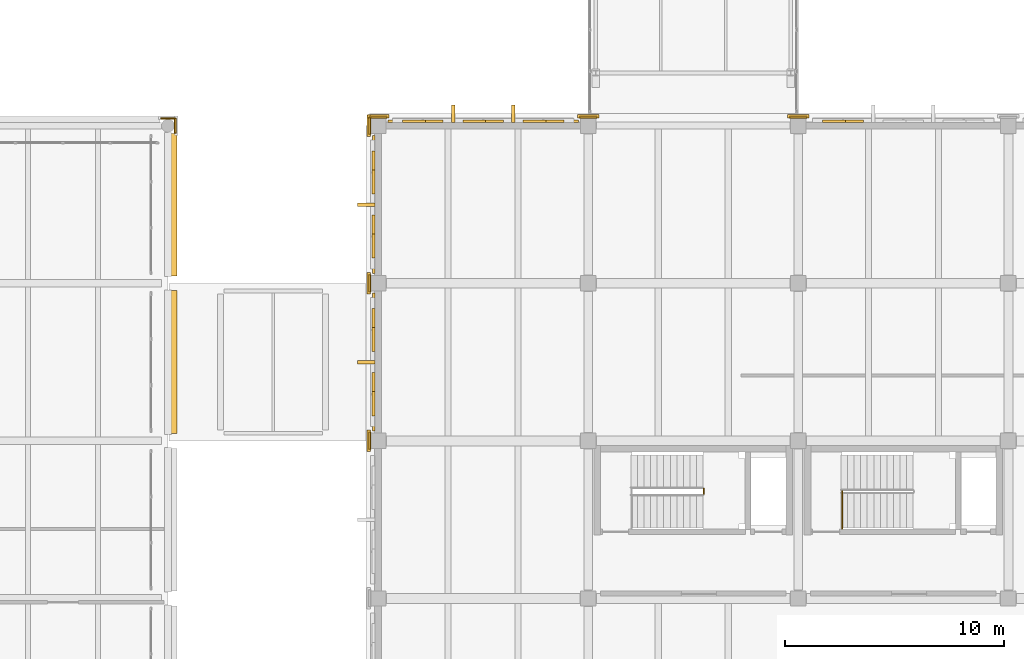
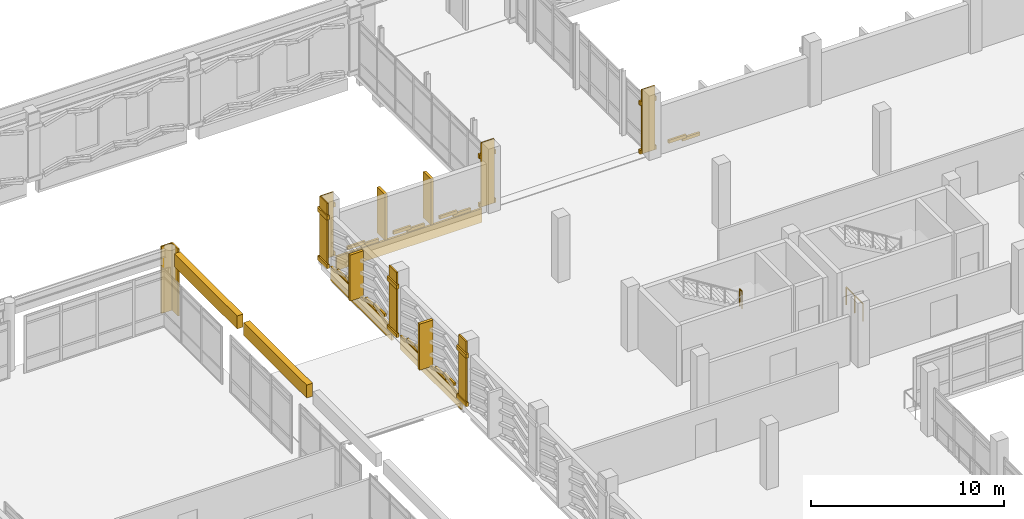
# One storey, part 168 of 180: 45 coverings, 2 railings.
"""IFC4 building model written with IfcOpenShell, lengths in metres."""

from ifc_helpers import new_model, si_unit, direction, frame, origin, origin_2d, place, context, subcontext, project, spatial, rectangle, circle, extrude, material, layer, layer_set, type_object, element, save


model = new_model("IFC4")

# Units and contexts
model_context = context("Model", 3, precision=1e-05, world=origin(), true_north=direction((0.0, 1.0)))
body_context = subcontext(model_context, "Body", "Model", "MODEL_VIEW")
ifc_project = project(units=[si_unit("LENGTHUNIT", "METRE"), si_unit("AREAUNIT", "SQUARE_METRE"), si_unit("VOLUMEUNIT", "CUBIC_METRE"), si_unit("PLANEANGLEUNIT", "RADIAN"), si_unit("MASSUNIT", "GRAM", prefix="KILO")], contexts=[model_context])

# Site, building, storey
site_placement = place(None, origin())
site = spatial("IfcSite", under=ifc_project, at=site_placement, CompositionType="ELEMENT")
building_placement = place(site_placement, origin())
building = spatial("IfcBuilding", under=site, at=building_placement, Name="Asteropetra Specialist Clinic", CompositionType="ELEMENT")
storey_placement = place(building_placement, frame((0.0, 0.0, 4.419921875)))
storey = spatial("IfcBuildingStorey", under=building, at=storey_placement, Name="L01", CompositionType="ELEMENT", Elevation=4.419921875)

# Coverings
ifc_material_1 = material(Name="Chevron aegean deep")
ifc_layer_1 = layer(ifc_material_1, 0.1201171875)
ifc_layer_set_1 = layer_set([ifc_layer_1], Name="Chevron aegean deep")
covering_type_1 = type_object("IfcCoveringType", Name="CLD-AEG-DEEP", PredefinedType="CLADDING", material=ifc_layer_set_1)
covering_1_placement = place(storey_placement, frame((110.39990234375, 62.597412109375, -0.7998046875), z_axis=(0.0, 0.0, 1.0), x_axis=(1.0, 0.0, 0.0)))
element("IfcCovering", 1, at=covering_1_placement, inside=storey, type_object=covering_type_1, Name="Chevron Spandrel Band CV-2018", PredefinedType="CLADDING", context=body_context, shape_type="SweptSolid", body=[
    extrude(rectangle(XDim=8.699951171875, YDim=0.1201171875, at=origin_2d()), origin(), (0.0, 0.0, 1.0), 0.8798828125),
])
for number, where, z_axis, x_axis, name in (
    (2, (113.560302734375, 62.612548828125, 0.1201171875), (0.0, 0.0, 1.0), (1.0, 0.0, 0.0), "Chevron Ceramic Band CV-2019"),
    (3, (112.746337890625, 62.612548828125, 0.26025390625), (0.0, 0.0, 1.0), (1.0, 0.0, 0.0), "Chevron Ceramic Band CV-2020"),
    (4, (110.806884765625, 62.612548828125, 0.1201171875), (0.0, 0.0, 1.0), (1.0, 0.0, 0.0), "Chevron Ceramic Band CV-2021"),
    (5, (109.992919921875, 62.612548828125, 0.26025390625), (0.0, 0.0, 1.0), (1.0, 0.0, 0.0), "Chevron Ceramic Band CV-2022"),
    (6, (108.0537109375, 62.612548828125, 0.1201171875), (0.0, 0.0, 1.0), (1.0, 0.0, 0.0), "Chevron Ceramic Band CV-2023"),
    (7, (107.23974609375, 62.612548828125, 0.26025390625), (0.0, 0.0, 1.0), (1.0, 0.0, 0.0), "Chevron Ceramic Band CV-2024"),
    (8, (127.253662109375, 62.612548828125, 0.1201171875), (0.0, 0.0, 1.0), (1.0, 0.0, 0.0), "Chevron Ceramic Band CV-2042"),
    (9, (126.439697265625, 62.612548828125, 0.26025390625), (0.0, 0.0, 1.0), (1.0, 0.0, 0.0), "Chevron Ceramic Band CV-2043"),
):
    element("IfcCovering", number, at=place(storey_placement, frame(where, z_axis=z_axis, x_axis=x_axis)), inside=storey, type_object=covering_type_1, Name=name, PredefinedType="CLADDING", context=body_context, shape_type="SweptSolid", body=[
        extrude(rectangle(XDim=1.0458984375, YDim=0.1201171875, at=origin_2d()), origin(), (0.0, 0.0, 1.0), 0.199951171875),
    ])
covering_2_placement = place(storey_placement, frame((105.402587890625, 51.60009765625, -0.7998046875), z_axis=(0.0, 0.0, 1.0), x_axis=(1.0, 0.0, 0.0)))
element("IfcCovering", 10, at=covering_2_placement, inside=storey, type_object=covering_type_1, Name="Chevron Spandrel Band CV-2126", PredefinedType="CLADDING", context=body_context, shape_type="SweptSolid", body=[
    extrude(rectangle(XDim=0.1201171875, YDim=6.300048828125, at=origin_2d()), origin(), (0.0, 0.0, 1.0), 0.8798828125),
])
for number, where, z_axis, x_axis, name in (
    (11, (105.387451171875, 53.49853515625, 0.1201171875), (0.0, 0.0, 1.0), (1.0, 0.0, 0.0), "Chevron Ceramic Band CV-2127"),
    (12, (105.387451171875, 52.631591796875, 0.26025390625), (0.0, 0.0, 1.0), (1.0, 0.0, 0.0), "Chevron Ceramic Band CV-2128"),
    (13, (105.387451171875, 50.568603515625, 0.1201171875), (0.0, 0.0, 1.0), (1.0, 0.0, 0.0), "Chevron Ceramic Band CV-2129"),
    (14, (105.387451171875, 49.701416015625, 0.26025390625), (0.0, 0.0, 1.0), (1.0, 0.0, 0.0), "Chevron Ceramic Band CV-2130"),
):
    element("IfcCovering", number, at=place(storey_placement, frame(where, z_axis=z_axis, x_axis=x_axis)), inside=storey, type_object=covering_type_1, Name=name, PredefinedType="CLADDING", context=body_context, shape_type="SweptSolid", body=[
        extrude(rectangle(XDim=0.1201171875, YDim=1.113037109375, at=origin_2d()), origin(), (0.0, 0.0, 1.0), 0.199951171875),
    ])
covering_3_placement = place(storey_placement, frame((105.402587890625, 58.800048828125, -0.7998046875), z_axis=(0.0, 0.0, 1.0), x_axis=(1.0, 0.0, 0.0)))
element("IfcCovering", 15, at=covering_3_placement, inside=storey, type_object=covering_type_1, Name="Chevron Spandrel Band CV-2135", PredefinedType="CLADDING", context=body_context, shape_type="SweptSolid", body=[
    extrude(rectangle(XDim=0.1201171875, YDim=6.300048828125, at=origin_2d()), origin(), (0.0, 0.0, 1.0), 0.8798828125),
])
for number, where, z_axis, x_axis, name in (
    (16, (105.387451171875, 60.698486328125, 0.1201171875), (0.0, 0.0, 1.0), (1.0, 0.0, 0.0), "Chevron Ceramic Band CV-2136"),
    (17, (105.387451171875, 59.83154296875, 0.26025390625), (0.0, 0.0, 1.0), (1.0, 0.0, 0.0), "Chevron Ceramic Band CV-2137"),
    (18, (105.387451171875, 57.7685546875, 0.1201171875), (0.0, 0.0, 1.0), (1.0, 0.0, 0.0), "Chevron Ceramic Band CV-2138"),
    (19, (105.387451171875, 56.901611328125, 0.26025390625), (0.0, 0.0, 1.0), (1.0, 0.0, 0.0), "Chevron Ceramic Band CV-2139"),
):
    element("IfcCovering", number, at=place(storey_placement, frame(where, z_axis=z_axis, x_axis=x_axis)), inside=storey, type_object=covering_type_1, Name=name, PredefinedType="CLADDING", context=body_context, shape_type="SweptSolid", body=[
        extrude(rectangle(XDim=0.1201171875, YDim=1.113037109375, at=origin_2d()), origin(), (0.0, 0.0, 1.0), 0.199951171875),
    ])
ifc_material_2 = material(Name="Pentelic marble ashlar", Category="masonry")
ifc_layer_2 = layer(ifc_material_2, 0.159912109375)
ifc_layer_set_2 = layer_set([ifc_layer_2], Name="Pentelic marble ashlar")
covering_type_2 = type_object("IfcCoveringType", Name="CRN-ENTAB-600", PredefinedType="MOLDING", material=ifc_layer_set_2)
covering_4_placement = place(storey_placement, frame((96.239990234375, 51.60009765625, 3.25), z_axis=(0.0, 0.0, 1.0), x_axis=(1.0, 0.0, 0.0)))
element("IfcCovering", 20, at=covering_4_placement, inside=storey, type_object=covering_type_2, Name="Stoa Classical Entablature SE-0060", PredefinedType="MOLDING", context=body_context, shape_type="SweptSolid", body=[
    extrude(rectangle(XDim=0.360107421875, YDim=6.52001953125, at=origin_2d()), origin(), (0.0, 0.0, 1.0), 0.820068359375),
])
covering_5_placement = place(storey_placement, frame((96.239990234375, 58.7900390625, 3.25), z_axis=(0.0, 0.0, 1.0), x_axis=(1.0, 0.0, 0.0)))
element("IfcCovering", 21, at=covering_5_placement, inside=storey, type_object=covering_type_2, Name="Stoa Classical Entablature SE-0062", PredefinedType="MOLDING", context=body_context, shape_type="SweptSolid", body=[
    extrude(rectangle(XDim=0.360107421875, YDim=6.5, at=origin_2d()), origin(), (0.0, 0.0, 1.0), 0.820068359375),
])
covering_6_placement = place(storey_placement, frame((96.0, 62.73193359375, 0.02001953125), z_axis=(0.0, 0.0, 1.0), x_axis=(1.0, 0.0, 0.0)))
element("IfcCovering", 22, at=covering_6_placement, inside=storey, type_object=covering_type_2, Name="Neoclassical Pilaster Facing CM-0451", PredefinedType="MOLDING", context=body_context, shape_type="SweptSolid", body=[
    extrude(rectangle(XDim=0.679931640625, YDim=0.080078125, at=origin_2d()), origin(), (0.0, 0.0, 1.0), 4.239990234375),
])
covering_7_placement = place(storey_placement, frame((96.33203125, 62.39990234375, 0.02001953125), z_axis=(0.0, 0.0, 1.0), x_axis=(1.0, 0.0, 0.0)))
element("IfcCovering", 23, at=covering_7_placement, inside=storey, type_object=covering_type_2, Name="Neoclassical Pilaster Facing CM-0454", PredefinedType="MOLDING", context=body_context, shape_type="SweptSolid", body=[
    extrude(rectangle(XDim=0.080078125, YDim=0.679931640625, at=origin_2d()), origin(), (0.0, 0.0, 1.0), 4.239990234375),
])
covering_8_placement = place(storey_placement, frame((105.218017578125, 48.0, 0.02001953125), z_axis=(0.0, 0.0, 1.0), x_axis=(1.0, 0.0, 0.0)))
element("IfcCovering", 24, at=covering_8_placement, inside=storey, type_object=covering_type_2, Name="Neoclassical Pilaster Facing CM-1037", PredefinedType="MOLDING", context=body_context, shape_type="SweptSolid", body=[
    extrude(rectangle(XDim=0.080078125, YDim=0.780029296875, at=origin_2d()), origin(), (0.0, 0.0, 1.0), 4.0400390625),
])
for number, where, z_axis, x_axis, name in (
    (25, (105.177978515625, 48.0, 0.01025390625), (0.0, 0.0, 1.0), (1.0, 0.0, 0.0), "Doric Base CC-1038"),
    (26, (105.177978515625, 48.0, 3.08984375), (0.0, 0.0, 1.0), (1.0, 0.0, 0.0), "Doric Capital CC-1039"),
):
    element("IfcCovering", number, at=place(storey_placement, frame(where, z_axis=z_axis, x_axis=x_axis)), inside=storey, type_object=covering_type_2, Name=name, PredefinedType="MOLDING", context=body_context, shape_type="SweptSolid", body=[
        extrude(rectangle(XDim=0.159912109375, YDim=0.97998046875, at=origin_2d()), origin(), (0.0, 0.0, 1.0), 0.260009765625),
    ])
covering_9_placement = place(storey_placement, frame((105.218017578125, 55.199951171875, 0.02001953125), z_axis=(0.0, 0.0, 1.0), x_axis=(1.0, 0.0, 0.0)))
element("IfcCovering", 27, at=covering_9_placement, inside=storey, type_object=covering_type_2, Name="Neoclassical Pilaster Facing CM-1040", PredefinedType="MOLDING", context=body_context, shape_type="SweptSolid", body=[
    extrude(rectangle(XDim=0.080078125, YDim=0.780029296875, at=origin_2d()), origin(), (0.0, 0.0, 1.0), 4.0400390625),
])
for number, where, z_axis, x_axis, name in (
    (28, (105.177978515625, 55.199951171875, 0.01025390625), (0.0, 0.0, 1.0), (1.0, 0.0, 0.0), "Doric Base CC-1041"),
    (29, (105.177978515625, 55.199951171875, 3.08984375), (0.0, 0.0, 1.0), (1.0, 0.0, 0.0), "Doric Capital CC-1042"),
):
    element("IfcCovering", number, at=place(storey_placement, frame(where, z_axis=z_axis, x_axis=x_axis)), inside=storey, type_object=covering_type_2, Name=name, PredefinedType="MOLDING", context=body_context, shape_type="SweptSolid", body=[
        extrude(rectangle(XDim=0.159912109375, YDim=0.97998046875, at=origin_2d()), origin(), (0.0, 0.0, 1.0), 0.260009765625),
    ])
covering_10_placement = place(storey_placement, frame((105.60009765625, 62.781982421875, 0.02001953125), z_axis=(0.0, 0.0, 1.0), x_axis=(1.0, 0.0, 0.0)))
element("IfcCovering", 30, at=covering_10_placement, inside=storey, type_object=covering_type_2, Name="Neoclassical Pilaster Facing CM-1043", PredefinedType="MOLDING", context=body_context, shape_type="SweptSolid", body=[
    extrude(rectangle(XDim=0.780029296875, YDim=0.080078125, at=origin_2d()), origin(), (0.0, 0.0, 1.0), 4.0400390625),
])
for number, where, z_axis, x_axis, name in (
    (31, (105.60009765625, 62.822021484375, 0.01025390625), (0.0, 0.0, 1.0), (1.0, 0.0, 0.0), "Doric Base CC-1044"),
    (32, (105.60009765625, 62.822021484375, 3.08984375), (0.0, 0.0, 1.0), (1.0, 0.0, 0.0), "Doric Capital CC-1045"),
):
    element("IfcCovering", number, at=place(storey_placement, frame(where, z_axis=z_axis, x_axis=x_axis)), inside=storey, type_object=covering_type_2, Name=name, PredefinedType="MOLDING", context=body_context, shape_type="SweptSolid", body=[
        extrude(rectangle(XDim=0.97998046875, YDim=0.159912109375, at=origin_2d()), origin(), (0.0, 0.0, 1.0), 0.260009765625),
    ])
covering_11_placement = place(storey_placement, frame((105.218017578125, 62.39990234375, 0.02001953125), z_axis=(0.0, 0.0, 1.0), x_axis=(1.0, 0.0, 0.0)))
element("IfcCovering", 33, at=covering_11_placement, inside=storey, type_object=covering_type_2, Name="Neoclassical Pilaster Facing CM-1046", PredefinedType="MOLDING", context=body_context, shape_type="SweptSolid", body=[
    extrude(rectangle(XDim=0.080078125, YDim=0.780029296875, at=origin_2d()), origin(), (0.0, 0.0, 1.0), 4.0400390625),
])
for number, where, z_axis, x_axis, name in (
    (34, (105.177978515625, 62.39990234375, 0.01025390625), (0.0, 0.0, 1.0), (1.0, 0.0, 0.0), "Doric Base CC-1047"),
    (35, (105.177978515625, 62.39990234375, 3.08984375), (0.0, 0.0, 1.0), (1.0, 0.0, 0.0), "Doric Capital CC-1048"),
):
    element("IfcCovering", number, at=place(storey_placement, frame(where, z_axis=z_axis, x_axis=x_axis)), inside=storey, type_object=covering_type_2, Name=name, PredefinedType="MOLDING", context=body_context, shape_type="SweptSolid", body=[
        extrude(rectangle(XDim=0.159912109375, YDim=0.97998046875, at=origin_2d()), origin(), (0.0, 0.0, 1.0), 0.260009765625),
    ])
covering_12_placement = place(storey_placement, frame((115.199951171875, 62.781982421875, 0.02001953125), z_axis=(0.0, 0.0, 1.0), x_axis=(1.0, 0.0, 0.0)))
element("IfcCovering", 36, at=covering_12_placement, inside=storey, type_object=covering_type_2, Name="Neoclassical Pilaster Facing CM-1052", PredefinedType="MOLDING", context=body_context, shape_type="SweptSolid", body=[
    extrude(rectangle(XDim=0.780029296875, YDim=0.080078125, at=origin_2d()), origin(), (0.0, 0.0, 1.0), 4.0400390625),
])
for number, where, z_axis, x_axis, name in (
    (37, (115.199951171875, 62.822021484375, 0.01025390625), (0.0, 0.0, 1.0), (1.0, 0.0, 0.0), "Doric Base CC-1053"),
    (38, (115.199951171875, 62.822021484375, 3.08984375), (0.0, 0.0, 1.0), (1.0, 0.0, 0.0), "Doric Capital CC-1054"),
):
    element("IfcCovering", number, at=place(storey_placement, frame(where, z_axis=z_axis, x_axis=x_axis)), inside=storey, type_object=covering_type_2, Name=name, PredefinedType="MOLDING", context=body_context, shape_type="SweptSolid", body=[
        extrude(rectangle(XDim=0.97998046875, YDim=0.159912109375, at=origin_2d()), origin(), (0.0, 0.0, 1.0), 0.260009765625),
    ])
covering_13_placement = place(storey_placement, frame((124.800048828125, 62.781982421875, 0.02001953125), z_axis=(0.0, 0.0, 1.0), x_axis=(1.0, 0.0, 0.0)))
element("IfcCovering", 39, at=covering_13_placement, inside=storey, type_object=covering_type_2, Name="Neoclassical Pilaster Facing CM-1058", PredefinedType="MOLDING", context=body_context, shape_type="SweptSolid", body=[
    extrude(rectangle(XDim=0.780029296875, YDim=0.080078125, at=origin_2d()), origin(), (0.0, 0.0, 1.0), 4.0400390625),
])
for number, where, z_axis, x_axis, name in (
    (40, (124.800048828125, 62.822021484375, 0.01025390625), (0.0, 0.0, 1.0), (1.0, 0.0, 0.0), "Doric Base CC-1059"),
    (41, (124.800048828125, 62.822021484375, 3.08984375), (0.0, 0.0, 1.0), (1.0, 0.0, 0.0), "Doric Capital CC-1060"),
):
    element("IfcCovering", number, at=place(storey_placement, frame(where, z_axis=z_axis, x_axis=x_axis)), inside=storey, type_object=covering_type_2, Name=name, PredefinedType="MOLDING", context=body_context, shape_type="SweptSolid", body=[
        extrude(rectangle(XDim=0.97998046875, YDim=0.159912109375, at=origin_2d()), origin(), (0.0, 0.0, 1.0), 0.260009765625),
    ])
ifc_material_3 = material(Name="Pentelic marble solar fin", Category="masonry")
ifc_layer_3 = layer(ifc_material_3, 0.080078125)
ifc_layer_set_3 = layer_set([ifc_layer_3], Name="Pentelic marble solar fin")
covering_type_3 = type_object("IfcCoveringType", Name="FIN-SOLAR-800", PredefinedType="MOLDING", material=ifc_layer_set_3)
for number, where, z_axis, x_axis, name in (
    (42, (111.776611328125, 62.952392578125, 0.0703125), (0.0, 0.0, 1.0), (1.0, 0.0, 0.0), "Solar Shading Fin FN-0150"),
    (43, (109.023193359375, 62.952392578125, 0.0703125), (0.0, 0.0, 1.0), (1.0, 0.0, 0.0), "Solar Shading Fin FN-0151"),
):
    element("IfcCovering", number, at=place(storey_placement, frame(where, z_axis=z_axis, x_axis=x_axis)), inside=storey, type_object=covering_type_3, Name=name, PredefinedType="MOLDING", context=body_context, shape_type="SweptSolid", body=[
        extrude(rectangle(XDim=0.159912109375, YDim=0.800048828125, at=origin_2d()), origin(), (0.0, 0.0, 1.0), 2.909912109375),
    ])
for number, where, z_axis, x_axis, name in (
    (44, (105.047607421875, 51.60009765625, 0.0703125), (0.0, 0.0, 1.0), (1.0, 0.0, 0.0), "Solar Shading Fin FN-0180"),
    (45, (105.047607421875, 58.800048828125, 0.0703125), (0.0, 0.0, 1.0), (1.0, 0.0, 0.0), "Solar Shading Fin FN-0182"),
):
    element("IfcCovering", number, at=place(storey_placement, frame(where, z_axis=z_axis, x_axis=x_axis)), inside=storey, type_object=covering_type_3, Name=name, PredefinedType="MOLDING", context=body_context, shape_type="SweptSolid", body=[
        extrude(rectangle(XDim=0.800048828125, YDim=0.159912109375, at=origin_2d()), origin(), (0.0, 0.0, 1.0), 2.909912109375),
    ])

# Railings
ifc_material_4 = material(Name="Steel S355 and laminated glass guard", Category="steel")
railing_type = type_object("IfcRailingType", Name="GRD-INT-1120", PredefinedType="GUARDRAIL", material=ifc_material_4)
railing_1_placement = place(storey_placement, frame((126.800048828125, 43.97998046875, 0.0)))
element("IfcRailing", 46, at=railing_1_placement, inside=storey, type_object=railing_type, Name="Stair Well Guard ST09-L00", PredefinedType="GUARDRAIL", context=body_context, shape_type="SweptSolid", body=[
    extrude(circle(Radius=0.02392578125, at=origin_2d()), frame((0.0, 0.0, 1.09619140625), z_axis=(0.0, 1.0, 0.0), x_axis=(-1.0, 0.0, 0.0)), (0.0, 0.0, 1.0), 1.72998046875),
    extrude(circle(Radius=0.02099609375, at=origin_2d()), origin(), (0.0, 0.0, 1.0), 1.072021484375),
    extrude(circle(Radius=0.02099609375, at=origin_2d()), frame((0.0, 0.864990234375, 0.0)), (0.0, 0.0, 1.0), 1.072021484375),
    extrude(circle(Radius=0.02099609375, at=origin_2d()), frame((0.0, 1.72998046875, 0.0)), (0.0, 0.0, 1.0), 1.072021484375),
])
railing_2_placement = place(storey_placement, frame((120.47998046875, 45.570068359375, 2.0400390625)))
element("IfcRailing", 47, at=railing_2_placement, inside=storey, type_object=railing_type, Name="Landing Slot Guard ST10-L01", PredefinedType="GUARDRAIL", context=body_context, shape_type="SweptSolid", body=[
    extrude(circle(Radius=0.02392578125, at=origin_2d()), frame((0.0, 0.0, 1.09619140625), z_axis=(0.0, 1.0, 0.0), x_axis=(-1.0, 0.0, 0.0)), (0.0, 0.0, 1.0), 0.239990234375),
    extrude(circle(Radius=0.02099609375, at=origin_2d()), origin(), (0.0, 0.0, 1.0), 1.072021484375),
    extrude(circle(Radius=0.02099609375, at=origin_2d()), frame((0.0, 0.239990234375, 0.0)), (0.0, 0.0, 1.0), 1.072021484375),
])

save(model, "model.ifc")
